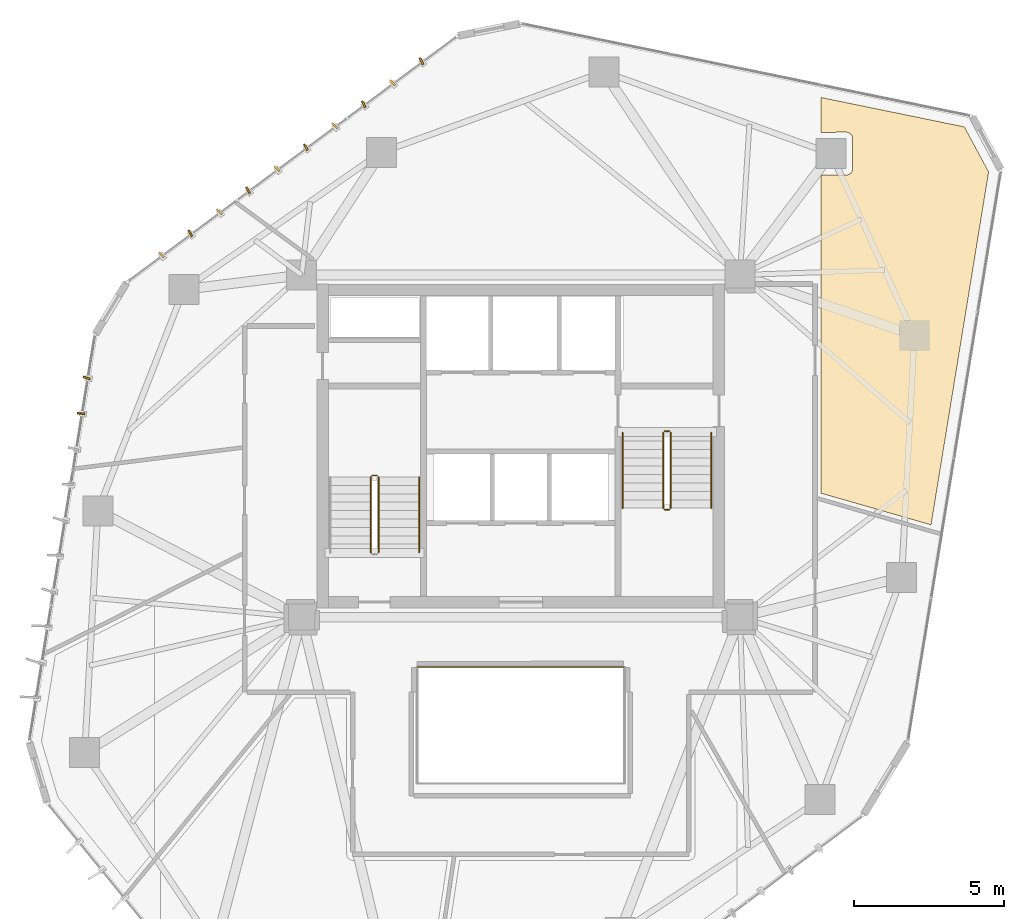
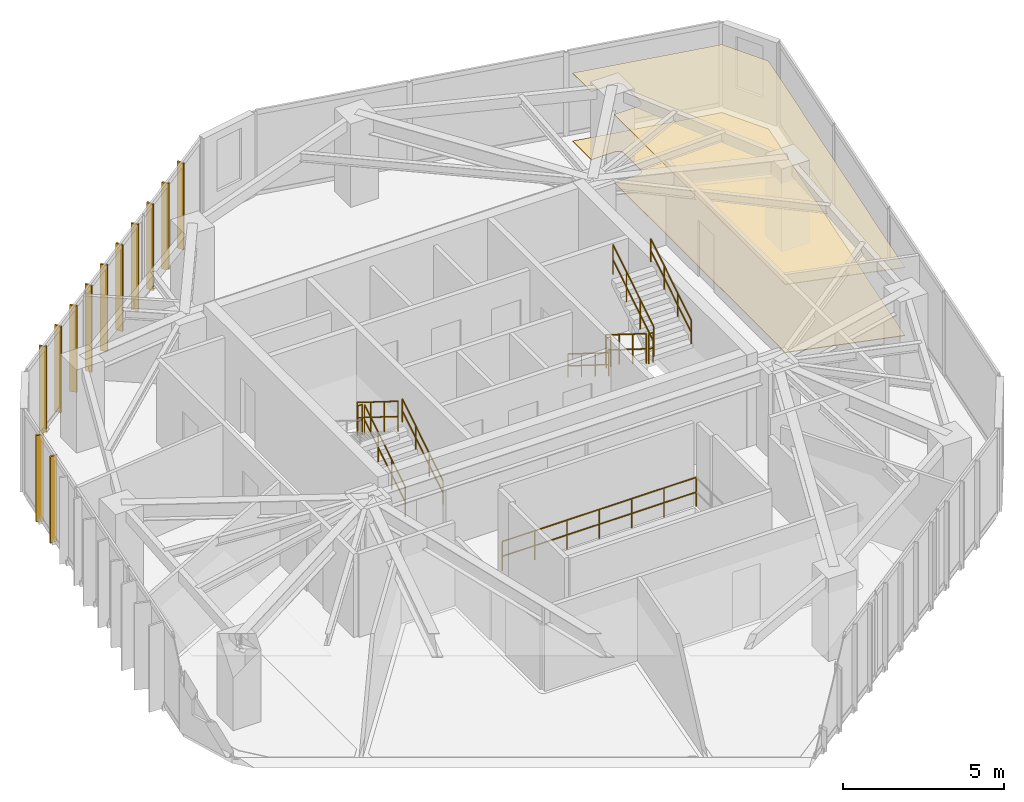
# One storey, part 20 of 20: 12 shading devices, 11 railings, 2 coverings.
"""IFC4 building model written with IfcOpenShell, lengths in metres."""

from ifc_helpers import new_model, si_unit, direction, frame, origin, origin_2d, place, context, subcontext, project, spatial, polyline, rectangle, circle, outline, extrude, source, transform, mapped, material, layer, layer_set, type_object, type_shapes, element, save


model = new_model("IFC4")

# Units and contexts
model_context = context("Model", 3, precision=1e-05, world=origin(), true_north=direction((0.0, 1.0)))
body_context = subcontext(model_context, "Body", "Model", "MODEL_VIEW")
ifc_project = project(units=[si_unit("LENGTHUNIT", "METRE"), si_unit("AREAUNIT", "SQUARE_METRE"), si_unit("VOLUMEUNIT", "CUBIC_METRE"), si_unit("PLANEANGLEUNIT", "RADIAN"), si_unit("MASSUNIT", "GRAM", prefix="KILO")], contexts=[model_context])

# Site, building, storey
site_placement = place(None, origin())
site = spatial("IfcSite", under=ifc_project, at=site_placement, CompositionType="ELEMENT")
building_placement = place(site_placement, origin())
building = spatial("IfcBuilding", under=site, at=building_placement, Name="Talar Marvaseh", CompositionType="ELEMENT")
storey_placement = place(building_placement, frame((0.0, 0.0, 198.5)))
storey = spatial("IfcBuildingStorey", under=building, at=storey_placement, Name="L52", CompositionType="ELEMENT", Elevation=198.5)

# Railings
ifc_material_1 = material(Name="Stainless Steel Grade 316", Category="steel")
railing_type_1 = type_object("IfcRailingType", Name="Brushed Stainless Wall Pitch Handrail 900", PredefinedType="HANDRAIL", material=ifc_material_1)
railing_1_placement = place(storey_placement, frame((22.610107421875, 27.64990234375, 0.175048828125)))
element("IfcRailing", 1, at=railing_1_placement, inside=storey, type_object=railing_type_1, Name="L52 ST-1 stair handrail 1", PredefinedType="HANDRAIL", context=body_context, shape_type="SweptSolid", body=[
    extrude(circle(Radius=0.02392578125, at=origin_2d()), frame((0.0, 0.0, 0.8759765625), z_axis=(0.0, 0.848007534815, 0.529984170421), x_axis=(-1.0, 0.0, 0.0)), (0.0, 0.0, 1.0), 2.9716796875),
    extrude(circle(Radius=0.02392578125, at=origin_2d()), frame((0.0, 0.0, 0.42578125), z_axis=(0.0, 0.848007534815, 0.529984170421), x_axis=(-1.0, 0.0, 0.0)), (0.0, 0.0, 1.0), 2.9716796875),
    extrude(circle(Radius=0.02099609375, at=origin_2d()), origin(), (0.0, 0.0, 1.0), 0.851806640625),
    extrude(circle(Radius=0.02099609375, at=origin_2d()), frame((0.0, 0.840087890625, 0.52490234375)), (0.0, 0.0, 1.0), 0.851806640625),
    extrude(circle(Radius=0.02099609375, at=origin_2d()), frame((0.0, 1.679931640625, 1.050048828125)), (0.0, 0.0, 1.0), 0.851806640625),
    extrude(circle(Radius=0.02099609375, at=origin_2d()), frame((0.0, 2.52001953125, 1.574951171875)), (0.0, 0.0, 1.0), 0.851806640625),
])
railing_2_placement = place(storey_placement, frame((29.389892578125, 31.64990234375, 0.175048828125)))
element("IfcRailing", 2, at=railing_2_placement, inside=storey, type_object=railing_type_1, Name="L52 ST-2 stair handrail 1", PredefinedType="HANDRAIL", context=body_context, shape_type="SweptSolid", body=[
    extrude(circle(Radius=0.02392578125, at=origin_2d()), frame((0.0, 0.0, 0.8759765625), z_axis=(0.0, -0.848007534815, 0.529984170421), x_axis=(1.0, 0.0, 0.0)), (0.0, 0.0, 1.0), 2.9716796875),
    extrude(circle(Radius=0.02392578125, at=origin_2d()), frame((0.0, 0.0, 0.42578125), z_axis=(0.0, -0.848007534815, 0.529984170421), x_axis=(1.0, 0.0, 0.0)), (0.0, 0.0, 1.0), 2.9716796875),
    extrude(circle(Radius=0.02099609375, at=origin_2d()), origin(), (0.0, 0.0, 1.0), 0.851806640625),
    extrude(circle(Radius=0.02099609375, at=origin_2d()), frame((0.0, -0.840087890625, 0.52490234375)), (0.0, 0.0, 1.0), 0.851806640625),
    extrude(circle(Radius=0.02099609375, at=origin_2d()), frame((0.0, -1.679931640625, 1.050048828125)), (0.0, 0.0, 1.0), 0.851806640625),
    extrude(circle(Radius=0.02099609375, at=origin_2d()), frame((0.0, -2.52001953125, 1.574951171875)), (0.0, 0.0, 1.0), 0.851806640625),
])
railing_3_placement = place(storey_placement, frame((32.35009765625, 29.1298828125, 1.925048828125)))
element("IfcRailing", 3, at=railing_3_placement, inside=storey, type_object=railing_type_1, Name="L52 ST-2 stair handrail 2", PredefinedType="HANDRAIL", context=body_context, shape_type="SweptSolid", body=[
    extrude(circle(Radius=0.02392578125, at=origin_2d()), frame((0.0, 0.0, 0.8759765625), z_axis=(0.0, 0.848007534815, 0.529984170421), x_axis=(-1.0, 0.0, 0.0)), (0.0, 0.0, 1.0), 2.9716796875),
    extrude(circle(Radius=0.02392578125, at=origin_2d()), frame((0.0, 0.0, 0.42578125), z_axis=(0.0, 0.848007534815, 0.529984170421), x_axis=(-1.0, 0.0, 0.0)), (0.0, 0.0, 1.0), 2.9716796875),
    extrude(circle(Radius=0.02099609375, at=origin_2d()), origin(), (0.0, 0.0, 1.0), 0.851806640625),
    extrude(circle(Radius=0.02099609375, at=origin_2d()), frame((0.0, 0.840087890625, 0.52490234375)), (0.0, 0.0, 1.0), 0.851806640625),
    extrude(circle(Radius=0.02099609375, at=origin_2d()), frame((0.0, 1.679931640625, 1.050048828125)), (0.0, 0.0, 1.0), 0.851806640625),
    extrude(circle(Radius=0.02099609375, at=origin_2d()), frame((0.0, 2.52001953125, 1.574951171875)), (0.0, 0.0, 1.0), 0.851806640625),
])
ifc_material_2 = material(Name="Tempered Clear Glass", Category="glass")
railing_type_2 = type_object("IfcRailingType", Name="Interior Atrium Edge Balustrade 1120", PredefinedType="BALUSTRADE", material=ifc_material_2)
railing_4_placement = place(storey_placement, frame((29.4697265625, 23.839111328125, 0.0)))
element("IfcRailing", 4, at=railing_4_placement, inside=storey, type_object=railing_type_2, Name="L52 Internal Daylight Atrium Balustrade 3", PredefinedType="BALUSTRADE", context=body_context, shape_type="SweptSolid", body=[
    extrude(circle(Radius=0.02392578125, at=origin_2d()), frame((0.0, 0.0, 1.09619140625), z_axis=(-1.0, 0.0, 0.0), x_axis=(0.0, -1.0, 0.0)), (0.0, 0.0, 1.0), 6.939453125),
    extrude(circle(Radius=0.02392578125, at=origin_2d()), frame((0.0, 0.0, 0.5361328125), z_axis=(-1.0, 0.0, 0.0), x_axis=(0.0, -1.0, 0.0)), (0.0, 0.0, 1.0), 6.939453125),
    extrude(circle(Radius=0.02099609375, at=origin_2d()), origin(), (0.0, 0.0, 1.0), 1.072021484375),
    extrude(circle(Radius=0.02099609375, at=origin_2d()), frame((-1.156494140625, 0.0, 0.0)), (0.0, 0.0, 1.0), 1.072021484375),
    extrude(circle(Radius=0.02099609375, at=origin_2d()), frame((-2.313232421875, 0.0, 0.0)), (0.0, 0.0, 1.0), 1.072021484375),
    extrude(circle(Radius=0.02099609375, at=origin_2d()), frame((-3.4697265625, 0.0, 0.0)), (0.0, 0.0, 1.0), 1.072021484375),
    extrude(circle(Radius=0.02099609375, at=origin_2d()), frame((-4.626220703125, 0.0, 0.0)), (0.0, 0.0, 1.0), 1.072021484375),
    extrude(circle(Radius=0.02099609375, at=origin_2d()), frame((-5.782958984375, 0.0, 0.0)), (0.0, 0.0, 1.0), 1.072021484375),
    extrude(circle(Radius=0.02099609375, at=origin_2d()), frame((-6.939453125, 0.0, 0.0)), (0.0, 0.0, 1.0), 1.072021484375),
])
railing_type_3 = type_object("IfcRailingType", Name="Painted Steel Core Stair Well Guardrail 1150", PredefinedType="GUARDRAIL", material=ifc_material_1)
railing_5_placement = place(storey_placement, frame((21.260009765625, 27.64990234375, 0.175048828125)))
element("IfcRailing", 5, at=railing_5_placement, inside=storey, type_object=railing_type_3, Name="L52 ST-1 stair guard 1", PredefinedType="GUARDRAIL", context=body_context, shape_type="SweptSolid", body=[
    extrude(circle(Radius=0.02392578125, at=origin_2d()), frame((0.0, 0.0, 1.1259765625), z_axis=(0.0, 0.848007534815, 0.529984170421), x_axis=(-1.0, 0.0, 0.0)), (0.0, 0.0, 1.0), 2.9716796875),
    extrude(circle(Radius=0.02392578125, at=origin_2d()), frame((0.0, 0.0, 0.55078125), z_axis=(0.0, 0.848007534815, 0.529984170421), x_axis=(-1.0, 0.0, 0.0)), (0.0, 0.0, 1.0), 2.9716796875),
    extrude(circle(Radius=0.02099609375, at=origin_2d()), origin(), (0.0, 0.0, 1.0), 1.101806640625),
    extrude(circle(Radius=0.02099609375, at=origin_2d()), frame((0.0, 0.840087890625, 0.52490234375)), (0.0, 0.0, 1.0), 1.101806640625),
    extrude(circle(Radius=0.02099609375, at=origin_2d()), frame((0.0, 1.679931640625, 1.050048828125)), (0.0, 0.0, 1.0), 1.101806640625),
    extrude(circle(Radius=0.02099609375, at=origin_2d()), frame((0.0, 2.52001953125, 1.574951171875)), (0.0, 0.0, 1.0), 1.101806640625),
])
railing_6_placement = place(storey_placement, frame((21.2099609375, 30.219970703125, 1.75)))
element("IfcRailing", 6, at=railing_6_placement, inside=storey, type_object=railing_type_3, Name="L52 ST-1 stair guard 2", PredefinedType="GUARDRAIL", context=body_context, shape_type="SweptSolid", body=[
    extrude(circle(Radius=0.02392578125, at=origin_2d()), frame((0.0, 0.0, 1.1259765625), z_axis=(-1.0, 0.0, 0.0), x_axis=(0.0, -1.0, 0.0)), (0.0, 0.0, 1.0), 0.159912109375),
    extrude(circle(Radius=0.02392578125, at=origin_2d()), frame((0.0, 0.0, 0.55078125), z_axis=(-1.0, 0.0, 0.0), x_axis=(0.0, -1.0, 0.0)), (0.0, 0.0, 1.0), 0.159912109375),
    extrude(circle(Radius=0.02099609375, at=origin_2d()), origin(), (0.0, 0.0, 1.0), 1.101806640625),
    extrude(circle(Radius=0.02099609375, at=origin_2d()), frame((-0.159912109375, 0.0, 0.0)), (0.0, 0.0, 1.0), 1.101806640625),
])
for number, where, name in (
    (7, (21.0, 30.169921875, 1.925048828125), "L52 ST-1 stair guard 3"),
    (8, (30.739990234375, 31.64990234375, 0.175048828125), "L52 ST-2 stair guard 1"),
):
    element("IfcRailing", number, at=place(storey_placement, frame(where)), inside=storey, type_object=railing_type_3, Name=name, PredefinedType="GUARDRAIL", context=body_context, shape_type="SweptSolid", body=[
        extrude(circle(Radius=0.02392578125, at=origin_2d()), frame((0.0, 0.0, 1.1259765625), z_axis=(0.0, -0.848007534815, 0.529984170421), x_axis=(1.0, 0.0, 0.0)), (0.0, 0.0, 1.0), 2.9716796875),
        extrude(circle(Radius=0.02392578125, at=origin_2d()), frame((0.0, 0.0, 0.55078125), z_axis=(0.0, -0.848007534815, 0.529984170421), x_axis=(1.0, 0.0, 0.0)), (0.0, 0.0, 1.0), 2.9716796875),
        extrude(circle(Radius=0.02099609375, at=origin_2d()), origin(), (0.0, 0.0, 1.0), 1.101806640625),
        extrude(circle(Radius=0.02099609375, at=origin_2d()), frame((0.0, -0.840087890625, 0.52490234375)), (0.0, 0.0, 1.0), 1.101806640625),
        extrude(circle(Radius=0.02099609375, at=origin_2d()), frame((0.0, -1.679931640625, 1.050048828125)), (0.0, 0.0, 1.0), 1.101806640625),
        extrude(circle(Radius=0.02099609375, at=origin_2d()), frame((0.0, -2.52001953125, 1.574951171875)), (0.0, 0.0, 1.0), 1.101806640625),
    ])
railing_7_placement = place(storey_placement, frame((30.7900390625, 29.080078125, 1.75)))
element("IfcRailing", 9, at=railing_7_placement, inside=storey, type_object=railing_type_3, Name="L52 ST-2 stair guard 2", PredefinedType="GUARDRAIL", context=body_context, shape_type="SweptSolid", body=[
    extrude(circle(Radius=0.02392578125, at=origin_2d()), frame((0.0, 0.0, 1.1259765625), z_axis=(1.0, 0.0, 0.0), x_axis=(0.0, 1.0, 0.0)), (0.0, 0.0, 1.0), 0.159912109375),
    extrude(circle(Radius=0.02392578125, at=origin_2d()), frame((0.0, 0.0, 0.55078125), z_axis=(1.0, 0.0, 0.0), x_axis=(0.0, 1.0, 0.0)), (0.0, 0.0, 1.0), 0.159912109375),
    extrude(circle(Radius=0.02099609375, at=origin_2d()), origin(), (0.0, 0.0, 1.0), 1.101806640625),
    extrude(circle(Radius=0.02099609375, at=origin_2d()), frame((0.159912109375, 0.0, 0.0)), (0.0, 0.0, 1.0), 1.101806640625),
])
railing_8_placement = place(storey_placement, frame((31.0, 29.1298828125, 1.925048828125)))
element("IfcRailing", 10, at=railing_8_placement, inside=storey, type_object=railing_type_3, Name="L52 ST-2 stair guard 3", PredefinedType="GUARDRAIL", context=body_context, shape_type="SweptSolid", body=[
    extrude(circle(Radius=0.02392578125, at=origin_2d()), frame((0.0, 0.0, 1.1259765625), z_axis=(0.0, 0.848007534815, 0.529984170421), x_axis=(-1.0, 0.0, 0.0)), (0.0, 0.0, 1.0), 2.9716796875),
    extrude(circle(Radius=0.02392578125, at=origin_2d()), frame((0.0, 0.0, 0.55078125), z_axis=(0.0, 0.848007534815, 0.529984170421), x_axis=(-1.0, 0.0, 0.0)), (0.0, 0.0, 1.0), 2.9716796875),
    extrude(circle(Radius=0.02099609375, at=origin_2d()), origin(), (0.0, 0.0, 1.0), 1.101806640625),
    extrude(circle(Radius=0.02099609375, at=origin_2d()), frame((0.0, 0.840087890625, 0.52490234375)), (0.0, 0.0, 1.0), 1.101806640625),
    extrude(circle(Radius=0.02099609375, at=origin_2d()), frame((0.0, 1.679931640625, 1.050048828125)), (0.0, 0.0, 1.0), 1.101806640625),
    extrude(circle(Radius=0.02099609375, at=origin_2d()), frame((0.0, 2.52001953125, 1.574951171875)), (0.0, 0.0, 1.0), 1.101806640625),
])
railing_9_placement = place(storey_placement, frame((30.7900390625, 31.699951171875, 0.0)))
element("IfcRailing", 11, at=railing_9_placement, inside=storey, type_object=railing_type_3, Name="L52 ST-2 stair guard 4", PredefinedType="GUARDRAIL", context=body_context, shape_type="SweptSolid", body=[
    extrude(circle(Radius=0.02392578125, at=origin_2d()), frame((0.0, 0.0, 1.1259765625), z_axis=(1.0, 0.0, 0.0), x_axis=(0.0, 1.0, 0.0)), (0.0, 0.0, 1.0), 0.159912109375),
    extrude(circle(Radius=0.02392578125, at=origin_2d()), frame((0.0, 0.0, 0.55078125), z_axis=(1.0, 0.0, 0.0), x_axis=(0.0, 1.0, 0.0)), (0.0, 0.0, 1.0), 0.159912109375),
    extrude(circle(Radius=0.02099609375, at=origin_2d()), origin(), (0.0, 0.0, 1.0), 1.101806640625),
    extrude(circle(Radius=0.02099609375, at=origin_2d()), frame((0.159912109375, 0.0, 0.0)), (0.0, 0.0, 1.0), 1.101806640625),
])

# Coverings
ifc_material_3 = material(Name="Mineral Fibre Acoustic Ceiling")
ifc_layer_1 = layer(ifc_material_3, 0.02490234375)
ifc_layer_set_1 = layer_set([ifc_layer_1], Name="Mineral Fibre Acoustic Ceiling")
covering_type_1 = type_object("IfcCoveringType", Name="Perforated Mineral Fibre Acoustic Suspended Ceiling", PredefinedType="CEILING", material=ifc_layer_set_1)
covering_1_placement = place(storey_placement, frame((0.0, 0.0, 2.570068359375)))
element("IfcCovering", 12, at=covering_1_placement, inside=storey, type_object=covering_type_1, Name="L52 Conservation Briefing Room Acoustic Ceiling", PredefinedType="CEILING", context=body_context, shape_type="SweptSolid", body=[
    extrude(outline(polyline([(41.58544921875, 40.334716796875), (39.668212890625, 28.5751953125), (36.0, 29.630859375), (36.0, 36.60009765625), (36.0, 40.2314453125), (36.8515625, 40.2314453125), (36.87109375, 40.232421875), (36.890380859375, 40.235107421875), (36.909423828125, 40.239990234375), (36.927978515625, 40.24658203125), (36.945556640625, 40.2548828125), (36.96240234375, 40.264892578125), (36.978271484375, 40.276611328125), (36.99267578125, 40.289794921875), (37.005859375, 40.30419921875), (37.017578125, 40.31982421875), (37.027587890625, 40.336669921875), (37.0361328125, 40.354248046875), (37.042724609375, 40.372802734375), (37.047607421875, 40.3916015625), (37.050537109375, 40.410888671875), (37.051513671875, 40.4306640625), (37.055908203125, 41.442626953125), (37.05517578125, 41.461181640625), (37.052490234375, 41.479736328125), (37.04833984375, 41.497802734375), (37.04248046875, 41.515625), (37.034912109375, 41.53271484375), (37.02587890625, 41.548828125), (37.015380859375, 41.564208984375), (37.00341796875, 41.57861328125), (36.990234375, 41.591796875), (36.975341796875, 41.605224609375), (36.9609375, 41.616943359375), (36.94580078125, 41.62744140625), (36.929443359375, 41.63623046875), (36.91259765625, 41.643798828125), (36.89501953125, 41.649658203125), (36.876953125, 41.65380859375), (36.858642578125, 41.65625), (36.840087890625, 41.656982421875), (36.0, 41.6533203125), (36.0, 42.814208984375), (40.777099609375, 41.833984375), (41.58544921875, 40.334716796875)])), origin(), (0.0, 0.0, 1.0), 0.02490234375),
])
ifc_material_4 = material(Name="Porcelain Stoneware Tile", Category="masonry")
ifc_layer_2 = layer(ifc_material_4, 0.02001953125)
ifc_layer_set_2 = layer_set([ifc_layer_2], Name="Porcelain Stoneware Tile")
covering_type_2 = type_object("IfcCoveringType", Name="Polished Porcelain Stoneware Gallery Flooring", PredefinedType="FLOORING", material=ifc_layer_set_2)
covering_2_placement = place(storey_placement, origin())
element("IfcCovering", 13, at=covering_2_placement, inside=storey, type_object=covering_type_2, Name="L52 Conservation Briefing Room Flooring", PredefinedType="FLOORING", context=body_context, shape_type="SweptSolid", body=[
    extrude(outline(polyline([(41.58544921875, 40.334716796875), (39.668212890625, 28.5751953125), (36.0, 29.630859375), (36.0, 36.60009765625), (36.0, 40.2314453125), (36.8515625, 40.2314453125), (36.87109375, 40.232421875), (36.890380859375, 40.235107421875), (36.909423828125, 40.239990234375), (36.927978515625, 40.24658203125), (36.945556640625, 40.2548828125), (36.96240234375, 40.264892578125), (36.978271484375, 40.276611328125), (36.99267578125, 40.289794921875), (37.005859375, 40.30419921875), (37.017578125, 40.31982421875), (37.027587890625, 40.336669921875), (37.0361328125, 40.354248046875), (37.042724609375, 40.372802734375), (37.047607421875, 40.3916015625), (37.050537109375, 40.410888671875), (37.051513671875, 40.4306640625), (37.055908203125, 41.442626953125), (37.05517578125, 41.461181640625), (37.052490234375, 41.479736328125), (37.04833984375, 41.497802734375), (37.04248046875, 41.515625), (37.034912109375, 41.53271484375), (37.02587890625, 41.548828125), (37.015380859375, 41.564208984375), (37.00341796875, 41.57861328125), (36.990234375, 41.591796875), (36.975341796875, 41.605224609375), (36.9609375, 41.616943359375), (36.94580078125, 41.62744140625), (36.929443359375, 41.63623046875), (36.91259765625, 41.643798828125), (36.89501953125, 41.649658203125), (36.876953125, 41.65380859375), (36.858642578125, 41.65625), (36.840087890625, 41.656982421875), (36.0, 41.6533203125), (36.0, 42.814208984375), (40.777099609375, 41.833984375), (41.58544921875, 40.334716796875)])), origin(), (0.0, 0.0, 1.0), 0.02001953125),
])

# Shading devices
ifc_material_5 = material(Name="Anodised Champagne Bronze Aluminium", Category="aluminium")
ifc_layer_3 = layer(ifc_material_5, 0.06494140625)
ifc_layer_set_3 = layer_set([ifc_layer_3], Name="Anodised Champagne Bronze Aluminium")
shading_device_type = type_object("IfcShadingDeviceType", Name="Sawtooth Champagne Bronze Vertical Fin 240", PredefinedType="USERDEFINED", material=ifc_layer_set_3)
shared_shape = source(origin(), body_context, "Body", "SweptSolid", [
    extrude(rectangle(XDim=0.239990234375, YDim=0.06494140625, at=origin_2d()), origin(), (0.0, 0.0, 1.0), 3.27001953125),
])
type_shapes(shading_device_type, [shared_shape])
for number, where, z_axis, x_axis, name in (
    (14, (11.34521484375, 32.28515625, -0.1201171875), (0.0, 0.0, 1.0), (-0.999787932848, 0.02059342932, 0.0), "L52 Sawtooth Vertical Solar Fin"),
    (15, (11.536865234375, 33.4697265625, -0.1201171875), (0.0, 0.0, 1.0), (-0.955381525503, 0.295374576981, 0.0), "L52 Sawtooth Vertical Solar Fin"),
    (16, (14.0263671875, 37.572509765625, -0.1201171875), (0.0, 0.0, 1.0), (-0.703146544139, 0.711044961634, 0.0), "L52 Sawtooth Vertical Solar Fin"),
    (17, (14.98876953125, 38.289306640625, -0.1201171875), (0.0, 0.0, 1.0), (-0.479917286421, 0.877313739887, 0.0), "L52 Sawtooth Vertical Solar Fin"),
    (18, (15.951171875, 39.006103515625, -0.1201171875), (0.0, 0.0, 1.0), (-0.703146544139, 0.711044961634, 0.0), "L52 Sawtooth Vertical Solar Fin"),
    (19, (16.91357421875, 39.722900390625, -0.1201171875), (0.0, 0.0, 1.0), (-0.479917286421, 0.877313739887, 0.0), "L52 Sawtooth Vertical Solar Fin"),
    (20, (17.875732421875, 40.43994140625, -0.1201171875), (0.0, 0.0, 1.0), (-0.703146544139, 0.711044961634, 0.0), "L52 Sawtooth Vertical Solar Fin"),
    (21, (18.838134765625, 41.15673828125, -0.1201171875), (0.0, 0.0, 1.0), (-0.479917286421, 0.877313739887, 0.0), "L52 Sawtooth Vertical Solar Fin"),
    (22, (19.800537109375, 41.87353515625, -0.1201171875), (0.0, 0.0, 1.0), (-0.703146544139, 0.711044961634, 0.0), "L52 Sawtooth Vertical Solar Fin"),
    (23, (20.762939453125, 42.59033203125, -0.1201171875), (0.0, 0.0, 1.0), (-0.479917286421, 0.877313739887, 0.0), "L52 Sawtooth Vertical Solar Fin"),
    (24, (21.725341796875, 43.307373046875, -0.1201171875), (0.0, 0.0, 1.0), (-0.703146544139, 0.711044961634, 0.0), "L52 Sawtooth Vertical Solar Fin"),
    (25, (22.6875, 44.024169921875, -0.1201171875), (0.0, 0.0, 1.0), (-0.479917286421, 0.877313739887, 0.0), "L52 Sawtooth Vertical Solar Fin"),
):
    element("IfcShadingDevice", number, at=place(storey_placement, frame(where, z_axis=z_axis, x_axis=x_axis)), inside=storey, type_object=shading_device_type, Name=name, ObjectType="FIN", PredefinedType="USERDEFINED", context=body_context, shape_type="MappedRepresentation", body=[
        mapped(shared_shape, transform((0.0, 0.0, 0.0), x_axis=(1.0, 0.0, 0.0), y_axis=(0.0, 1.0, 0.0), z_axis=(0.0, 0.0, 1.0), scale=1.0)),
    ])

save(model, "model.ifc")
